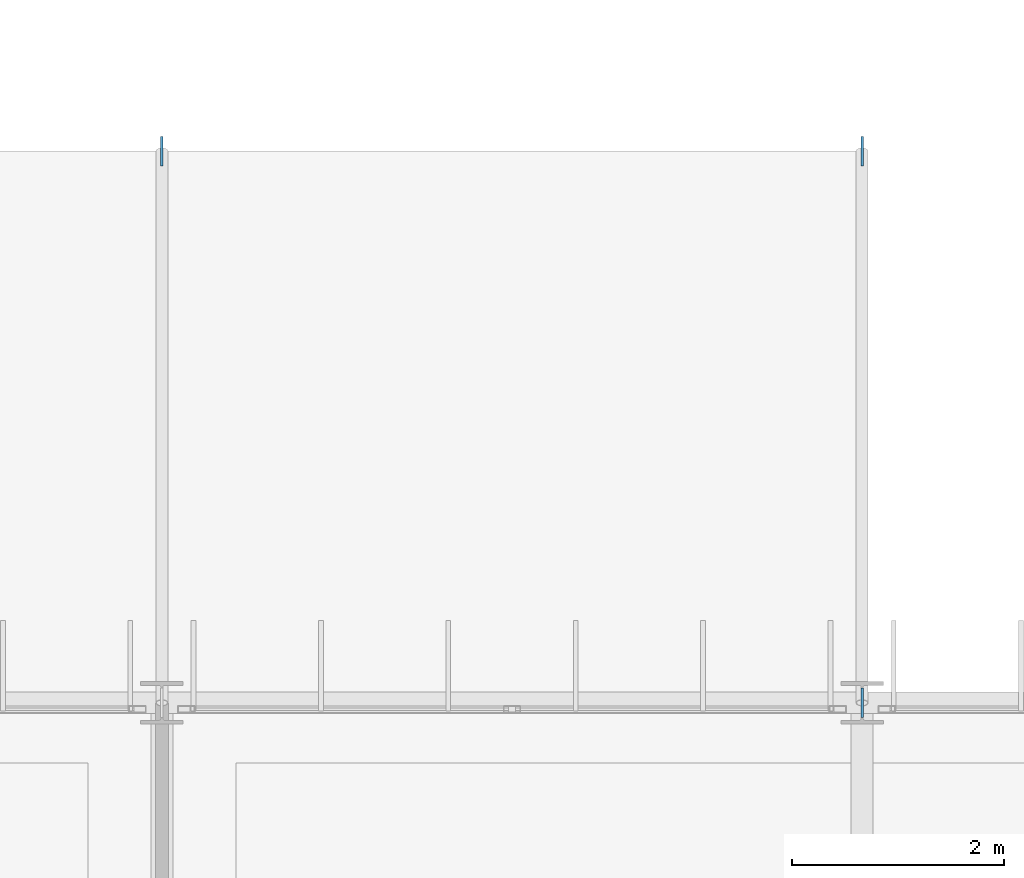
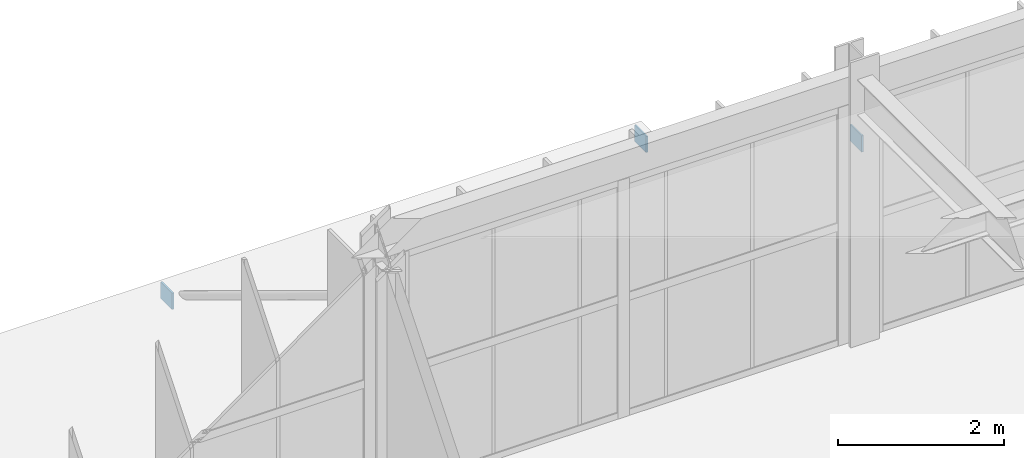
# One storey, part 114 of 148: 3 plates.
"""IFC4 building model written with IfcOpenShell, lengths in metres."""

import ifcopenshell
import ifcopenshell.guid

model = None  # the IFC model being written
_history = None  # IfcOwnerHistory: only IFC2X3 demands one
_inside = {}  # id of a spatial element -> (the spatial element, [elements in it])
_under = {}  # id of a project, library or spatial element -> (it, [spatial elements below it])
_declared = {}  # id of a project -> (the project, [libraries it declares])
_typed = {}  # id of a type object -> (the type object, [elements of that type])
_made_of = {}  # id of a material, layer set ... -> (it, [elements and type objects made of it])


def new_model(schema):
    """Start an empty IFC model of exactly this schema.

    Asked for "IFC4X3", IfcOpenShell would pick the latest addendum, in which some entities
    have other attributes; the version numbers below select the first issue.
    IFC2X3 requires an IfcOwnerHistory on every rooted entity: one is made here for all.
    """
    global model, _history
    if schema == "IFC4X3":
        model = ifcopenshell.file(schema_version=(4, 3, 0, 0))
    else:
        model = ifcopenshell.file(schema=schema)
    _inside.clear()
    _under.clear()
    _declared.clear()
    _typed.clear()
    _made_of.clear()
    _history = None
    if model.schema == "IFC2X3":
        org = make("IfcOrganization", Name="unknown")
        user = make(
            "IfcPersonAndOrganization",
            ThePerson=make("IfcPerson", FamilyName="unknown"),
            TheOrganization=org,
        )
        app = make(
            "IfcApplication",
            ApplicationDeveloper=org,
            Version="unknown",
            ApplicationFullName="unknown",
            ApplicationIdentifier="unknown",
        )
        _history = make(
            "IfcOwnerHistory",
            OwningUser=user,
            OwningApplication=app,
            ChangeAction="ADDED",
            CreationDate=0,
        )
    return model


def make(cls, **values):
    """One entity of the class cls with the attributes given. An attribute that is None is left unset."""
    return model.create_entity(
        cls, **{name: value for name, value in values.items() if value is not None}
    )


def rooted(cls, **values):
    """An entity with a GlobalId (a new one), such as an element, a storey or a relation."""
    return make(cls, GlobalId=ifcopenshell.guid.new(), OwnerHistory=_history, **values)


def si_unit(unit_type, name, prefix=None):
    """IfcSIUnit, for example si_unit("LENGTHUNIT", "METRE", prefix="MILLI")."""
    return make("IfcSIUnit", UnitType=unit_type, Prefix=prefix, Name=name)


def assignment(units):
    """IfcUnitAssignment: the units of a project."""
    return None if units is None else make("IfcUnitAssignment", Units=units)


def point(xyz):
    """IfcCartesianPoint."""
    return None if xyz is None else make("IfcCartesianPoint", Coordinates=xyz)


def direction(xyz):
    """IfcDirection."""
    return None if xyz is None else make("IfcDirection", DirectionRatios=xyz)


def frame(location, z_axis=None, x_axis=None):
    """IfcAxis2Placement3D, a coordinate frame: its origin and axes. An axis left out is left unset."""
    return make(
        "IfcAxis2Placement3D",
        Location=point(location),
        Axis=direction(z_axis),
        RefDirection=direction(x_axis),
    )


def frame_2d(location, x_axis=None):
    """IfcAxis2Placement2D, a coordinate frame in the plane: its origin and x axis."""
    return make(
        "IfcAxis2Placement2D", Location=point(location), RefDirection=direction(x_axis)
    )


def origin():
    """The frame at (0, 0, 0) with its axes left unset."""
    return frame((0.0, 0.0, 0.0))


def origin_2d():
    """The frame at (0, 0) in the plane with its x axis left unset."""
    return frame_2d((0.0, 0.0))


def place(relative_to, where):
    """IfcLocalPlacement: puts the frame where relative to a parent placement (None: the world)."""
    return make(
        "IfcLocalPlacement", PlacementRelTo=relative_to, RelativePlacement=where
    )


def context(
    kind, dimensions, precision=None, world=None, true_north=None, identifier=None
):
    """IfcGeometricRepresentationContext, for example the 3D "Model" context."""
    return make(
        "IfcGeometricRepresentationContext",
        ContextIdentifier=identifier,
        ContextType=kind,
        CoordinateSpaceDimension=dimensions,
        Precision=precision,
        WorldCoordinateSystem=world,
        TrueNorth=true_north,
    )


def subcontext(parent, identifier, kind, view, scale=None):
    """IfcGeometricRepresentationSubContext, for example "Body" below "Model"."""
    return make(
        "IfcGeometricRepresentationSubContext",
        ContextIdentifier=identifier,
        ContextType=kind,
        ParentContext=parent,
        TargetScale=scale,
        TargetView=view,
    )


def project(units=None, contexts=None):
    """IfcProject with its units and contexts."""
    return rooted(
        "IfcProject",
        Name="project",
        RepresentationContexts=contexts,
        UnitsInContext=assignment(units),
    )


def spatial(cls, under=None, at=None, **own):
    """A site, building, storey or space (cls), placed at a placement, below another one or the project."""
    s = rooted(cls, ObjectPlacement=at, **own)
    if under is not None:
        _under.setdefault(under.id(), (under, []))[1].append(s)
    return s


def profile(cls, at=None, kind="AREA", **sizes):
    """A parametric profile (cls). Its sizes go by their IFC names, for example OverallWidth=200.0."""
    return make(cls, ProfileType=kind, Position=at, **sizes)


def rectangle(**sizes):
    """IfcRectangleProfileDef."""
    return profile("IfcRectangleProfileDef", **sizes)


def extrude(swept, where, along, depth):
    """IfcExtrudedAreaSolid: the profile swept, set in the frame where, extruded along a direction by depth."""
    return make(
        "IfcExtrudedAreaSolid",
        SweptArea=swept,
        Position=where,
        ExtrudedDirection=direction(along),
        Depth=depth,
    )


def shape(context_of_items, identifier, shape_type, items):
    """IfcShapeRepresentation: the items that make up one representation, for example the "Body"."""
    return make(
        "IfcShapeRepresentation",
        ContextOfItems=context_of_items,
        RepresentationIdentifier=identifier,
        RepresentationType=shape_type,
        Items=items,
    )


def material(Name=None, Category=None):
    """IfcMaterial."""
    return make("IfcMaterial", Name=Name, Category=Category)


def layer(
    of_material, thickness, ventilated=None, Name=None, Category=None, Priority=None
):
    """IfcMaterialLayer: one layer of a wall or slab, of a material (None: an air gap)."""
    return make(
        "IfcMaterialLayer",
        Material=of_material,
        LayerThickness=thickness,
        IsVentilated=ventilated,
        Name=Name,
        Category=Category,
        Priority=Priority,
    )


def layer_set(layers, Name=None):
    """IfcMaterialLayerSet."""
    return make("IfcMaterialLayerSet", MaterialLayers=layers, LayerSetName=Name)


def made_of(thing, what):
    """Note that an element or type object is made of a material, layer set ...; save() writes the relation."""
    if what is not None:
        _made_of.setdefault(what.id(), (what, []))[1].append(thing)
    return thing


def type_object(cls, material=None, **own):
    """A type object (cls), such as IfcWallType, which elements share."""
    return made_of(rooted(cls, **own), material)


def element(
    cls,
    number,
    at=None,
    inside=None,
    cuts=None,
    type_object=None,
    material=None,
    context=None,
    identifier="Body",
    shape_type=None,
    held_by="IfcProductDefinitionShape",
    body=None,
    shapes=None,
    **own,
):
    """One element of the class cls, such as IfcWall. Its Tag is "e" and its number.

    at: its placement. inside: the storey or other place that contains it. cuts: it is an
    opening in that element (IfcRelVoidsElement). A single representation is given by context,
    identifier, shape_type and body (its items); several are given by shapes. held_by: the class
    of the entity that holds the representations. save() writes the other relations.
    """
    e = rooted(cls, Tag="e%d" % number, ObjectPlacement=at, **own)
    if body is not None:
        shapes = [shape(context, identifier, shape_type, body)]
    if shapes is not None:
        e.Representation = make(held_by, Representations=shapes)
    if inside is not None:
        _inside.setdefault(inside.id(), (inside, []))[1].append(e)
    if cuts is not None:
        rooted(
            "IfcRelVoidsElement", RelatingBuildingElement=cuts, RelatedOpeningElement=e
        )
    if type_object is not None:
        _typed.setdefault(type_object.id(), (type_object, []))[1].append(e)
    return made_of(e, material)


def aggregate(whole, parts):
    """IfcRelAggregates: a whole, such as a stair, and the parts it consists of."""
    return rooted("IfcRelAggregates", RelatingObject=whole, RelatedObjects=parts)


def save(model, path):
    """Write the relations noted so far, then the file.

    IfcRelAggregates (storeys below a building ...), IfcRelContainedInSpatialStructure (elements
    in a storey), IfcRelDefinesByType, IfcRelAssociatesMaterial and IfcRelDeclares: one each for
    every whole, place, type object, material and project.
    """
    for whole, parts in _under.values():
        aggregate(whole, parts)
    for where, things in _inside.values():
        rooted(
            "IfcRelContainedInSpatialStructure",
            RelatedElements=things,
            RelatingStructure=where,
        )
    for kind, things in _typed.values():
        rooted("IfcRelDefinesByType", RelatedObjects=things, RelatingType=kind)
    for what, things in _made_of.values():
        rooted("IfcRelAssociatesMaterial", RelatedObjects=things, RelatingMaterial=what)
    for by, libraries in _declared.values():
        rooted("IfcRelDeclares", RelatingContext=by, RelatedDefinitions=libraries)
    model.write(path)


model = new_model("IFC4")

# Units and contexts
model_context = context("Model", 3, precision=1e-05, world=origin(), true_north=direction((0.0, 1.0)))
body_context = subcontext(model_context, "Body", "Model", "MODEL_VIEW")
ifc_project = project(units=[si_unit("LENGTHUNIT", "METRE"), si_unit("AREAUNIT", "SQUARE_METRE"), si_unit("VOLUMEUNIT", "CUBIC_METRE"), si_unit("PLANEANGLEUNIT", "RADIAN"), si_unit("MASSUNIT", "GRAM", prefix="KILO")], contexts=[model_context])

# Site, building, storey
site_placement = place(None, origin())
site = spatial("IfcSite", under=ifc_project, at=site_placement, CompositionType="ELEMENT")
building_placement = place(site_placement, origin())
building = spatial("IfcBuilding", under=site, at=building_placement, Name="Karori Crest Natural Sciences Institute", CompositionType="ELEMENT")
storey_placement = place(building_placement, frame((0.0, 0.0, 4.89990234375)))
storey = spatial("IfcBuildingStorey", under=building, at=storey_placement, Name="L01", CompositionType="ELEMENT", Elevation=4.89990234375)

# Plates
ifc_material = material(Name="Structural steel AS/NZS 3679.1 Grade 350", Category="steel")
ifc_layer = layer(ifc_material, 0.02490234375, Name="Structural steel AS/NZS 3679.1 Grade 350")
ifc_layer_set = layer_set([ifc_layer], Name="Structural steel AS/NZS 3679.1 Grade 350")
plate_type = type_object("IfcPlateType", Name="PLT-06-EL", PredefinedType="SHEET", material=ifc_layer_set)
for number, where, z_axis, x_axis, name in (
    (1, (116.800048828125, 25.800048828125, -0.3798828125), (0.0, 0.0, 1.0), (0.0, 1.0, 0.0), "Brace gusset plate EP-0456"),
    (2, (123.39990234375, 25.800048828125, -0.3798828125), (0.0, 0.0, 1.0), (0.0, 1.0, 0.0), "Brace gusset plate EP-0460"),
    (3, (123.39990234375, 20.60009765625, 2.7802734375), (0.0, 0.0, 1.0), (0.0, 1.0, 0.0), "Brace gusset plate EP-0461"),
):
    element("IfcPlate", number, at=place(storey_placement, frame(where, z_axis=z_axis, x_axis=x_axis)), inside=storey, type_object=plate_type, Name=name, PredefinedType="SHEET", context=body_context, shape_type="SweptSolid", body=[
        extrude(rectangle(XDim=0.280029296875, YDim=0.02490234375, at=origin_2d()), origin(), (0.0, 0.0, 1.0), 0.239990234375),
    ])

save(model, "model.ifc")
